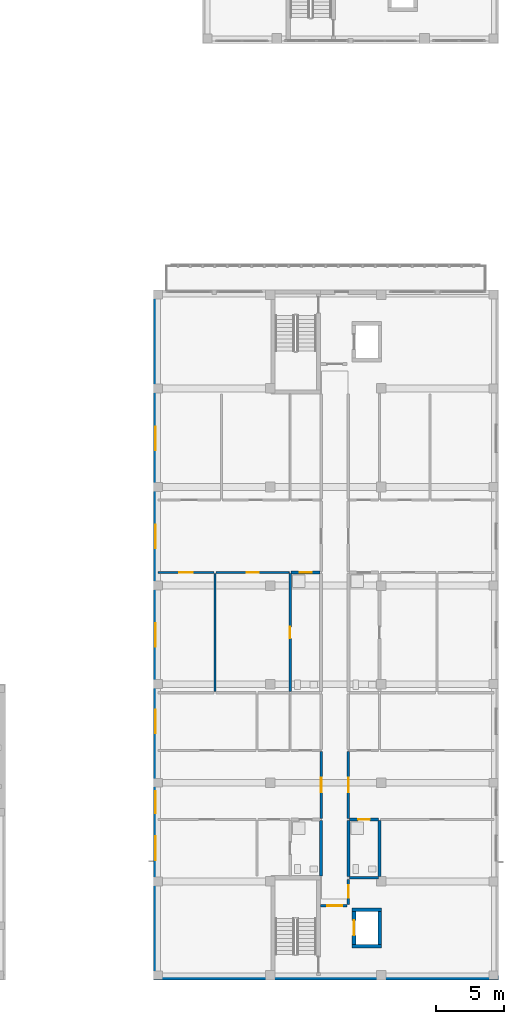
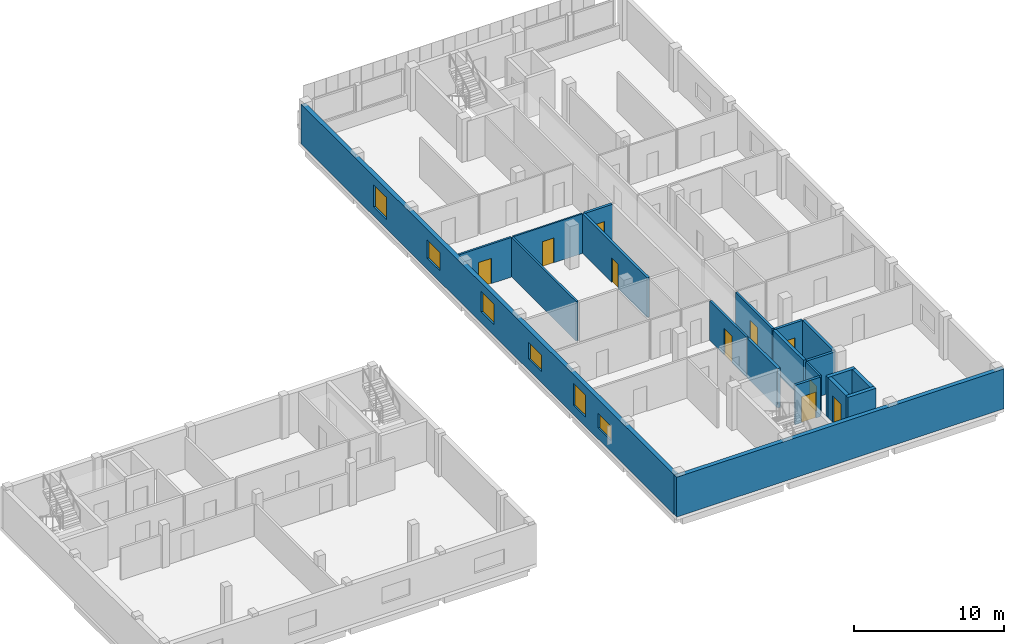
# One storey, part 46 of 73: 20 walls, 10 doors, 6 windows, 16 openings.
"""IFC4 building model written with IfcOpenShell, lengths in metres."""

from ifc_helpers import new_model, si_unit, derived_unit, direction, frame, frame_2d, origin, place, context, subcontext, project, spatial, rectangle, extrude, material, layer, layer_set, type_object, element, fill, save


model = new_model("IFC4")

# Units and contexts
model_context = context("Model", 3, precision=1e-05, world=origin(), true_north=direction((0.0, 1.0)))
body_context = subcontext(model_context, "Body", "Model", "MODEL_VIEW")
ifc_project = project(units=[si_unit("LENGTHUNIT", "METRE"), si_unit("AREAUNIT", "SQUARE_METRE"), si_unit("VOLUMEUNIT", "CUBIC_METRE"), si_unit("PLANEANGLEUNIT", "RADIAN"), si_unit("MASSUNIT", "GRAM", prefix="KILO"), derived_unit("THERMALTRANSMITTANCEUNIT", [(si_unit("MASSUNIT", "GRAM", prefix="KILO"), 1), (si_unit("TIMEUNIT", "SECOND"), -3), (si_unit("THERMODYNAMICTEMPERATUREUNIT", "KELVIN"), -1)])], contexts=[model_context])

# Site, building, storey
site_placement = place(None, origin())
site = spatial("IfcSite", under=ifc_project, at=site_placement, CompositionType="ELEMENT")
building_placement = place(site_placement, origin())
building = spatial("IfcBuilding", under=site, at=building_placement, Name="Ochrekiln Boulevard Commons", CompositionType="ELEMENT")
storey_placement = place(building_placement, frame((0.0, 0.0, 8.574951171875)))
storey = spatial("IfcBuildingStorey", under=building, at=storey_placement, Name="L02", CompositionType="ELEMENT", Elevation=8.574951171875)

# Wall
ifc_material_1 = material(Name="Desert ochre clinker brick masonry ASTM C216 Grade SW", Category="masonry")
ifc_layer_1 = layer(ifc_material_1, 0.330078125)
ifc_layer_set_1 = layer_set([ifc_layer_1], Name="Desert ochre clinker brick masonry ASTM C216 Grade SW")
wall_type_1 = type_object("IfcWallType", Name="WL-EXT-OCHRE-330", PredefinedType="SOLIDWALL", material=ifc_layer_set_1)
wall_1_placement = place(storey_placement, frame((147.60009765625, 0.1650390625, 0.0), z_axis=(0.0, 0.0, 1.0), x_axis=(1.0, 0.0, 0.0)))
element("IfcWall", 1, at=wall_1_placement, inside=storey, type_object=wall_type_1, Name="Block C L02 S Exterior Wall", PredefinedType="SOLIDWALL", context=body_context, shape_type="SweptSolid", body=[
    extrude(rectangle(XDim=25.199951171875, YDim=0.330078125, at=frame_2d((12.60009765625, 0.0))), origin(), (0.0, 0.0, 1.0), 3.239990234375),
])

# Wall, openings, windows
wall_2_placement = place(storey_placement, frame((147.764892578125, 0.330078125, 0.0), z_axis=(0.0, 0.0, 1.0), x_axis=(0.0, 1.0, 0.0)))
wall_2 = element("IfcWall", 2, at=wall_2_placement, inside=storey, type_object=wall_type_1, Name="Block C L02 W Exterior Wall", PredefinedType="SOLIDWALL", context=body_context, shape_type="SweptSolid", body=[
    extrude(rectangle(XDim=49.739990234375, YDim=0.330078125, at=frame_2d((24.8701171875, 0.0))), origin(), (0.0, 0.0, 1.0), 3.239990234375),
])
opening_1_placement = place(wall_2_placement, frame((11.833984375, 0.0, 0.7548828125)))
opening_1 = element("IfcOpeningElement", 3, at=opening_1_placement, cuts=wall_2, Name="Opening W-35", PredefinedType="OPENING", context=body_context, shape_type="SweptSolid", body=[
    extrude(rectangle(XDim=1.60009765625, YDim=1.800048828125, at=frame_2d((0.800048828125, 0.89990234375))), frame((0.0, 0.175048828125, 0.0), z_axis=(0.0, -1.0, 0.0), x_axis=(1.0, 0.0, 0.0)), (0.0, 0.0, 1.0), 0.35009765625),
])
opening_2_placement = place(wall_2_placement, frame((8.428955078125, 0.0, 0.89990234375)))
opening_2 = element("IfcOpeningElement", 4, at=opening_2_placement, cuts=wall_2, Name="Opening W-36", PredefinedType="OPENING", context=body_context, shape_type="SweptSolid", body=[
    extrude(rectangle(XDim=1.719970703125, YDim=1.199951171875, at=frame_2d((0.85986328125, 0.60009765625))), frame((0.0, 0.175048828125, 0.0), z_axis=(0.0, -1.0, 0.0), x_axis=(1.0, 0.0, 0.0)), (0.0, 0.0, 1.0), 0.35009765625),
])
opening_3_placement = place(wall_2_placement, frame((17.677001953125, 0.0, 0.89990234375)))
opening_3 = element("IfcOpeningElement", 5, at=opening_3_placement, cuts=wall_2, Name="Opening W-37", PredefinedType="OPENING", context=body_context, shape_type="SweptSolid", body=[
    extrude(rectangle(XDim=1.719970703125, YDim=1.35009765625, at=frame_2d((0.85986328125, 0.675048828125))), frame((0.0, 0.175048828125, 0.0), z_axis=(0.0, -1.0, 0.0), x_axis=(1.0, 0.0, 0.0)), (0.0, 0.0, 1.0), 0.35009765625),
])
opening_4_placement = place(wall_2_placement, frame((31.2099609375, 0.0, 0.89990234375)))
opening_4 = element("IfcOpeningElement", 6, at=opening_4_placement, cuts=wall_2, Name="Opening W-38", PredefinedType="OPENING", context=body_context, shape_type="SweptSolid", body=[
    extrude(rectangle(XDim=1.719970703125, YDim=1.5, at=frame_2d((0.85986328125, 0.75))), frame((0.0, 0.175048828125, 0.0), z_axis=(0.0, -1.0, 0.0), x_axis=(1.0, 0.0, 0.0)), (0.0, 0.0, 1.0), 0.35009765625),
])
opening_5_placement = place(wall_2_placement, frame((24.010009765625, 0.0, 0.89990234375)))
opening_5 = element("IfcOpeningElement", 7, at=opening_5_placement, cuts=wall_2, Name="Opening W-39", PredefinedType="OPENING", context=body_context, shape_type="SweptSolid", body=[
    extrude(rectangle(XDim=1.719970703125, YDim=1.64990234375, at=frame_2d((0.85986328125, 0.824951171875))), frame((0.0, 0.175048828125, 0.0), z_axis=(0.0, -1.0, 0.0), x_axis=(1.0, 0.0, 0.0)), (0.0, 0.0, 1.0), 0.35009765625),
])
opening_6_placement = place(wall_2_placement, frame((38.344970703125, 0.0, 0.7548828125)))
opening_6 = element("IfcOpeningElement", 8, at=opening_6_placement, cuts=wall_2, Name="Opening W-40", PredefinedType="OPENING", context=body_context, shape_type="SweptSolid", body=[
    extrude(rectangle(XDim=1.719970703125, YDim=1.800048828125, at=frame_2d((0.85986328125, 0.89990234375))), frame((0.0, 0.175048828125, 0.0), z_axis=(0.0, -1.0, 0.0), x_axis=(1.0, 0.0, 0.0)), (0.0, 0.0, 1.0), 0.35009765625),
])
ifc_material_2 = material(Name="Thermally broken aluminium-clad oak frame", Category="aluminium")
window_type_1 = type_object("IfcWindowType", Name="WIN-EXT-35", PartitioningType="DOUBLE_PANEL_VERTICAL", PredefinedType="WINDOW", material=ifc_material_2)
window_1_placement = place(opening_1_placement, origin())
window_1 = element("IfcWindow", 9, at=window_1_placement, inside=storey, type_object=window_type_1, Name="Block C L02 Punched Masonry Window W-35", OverallHeight=1.800048828125, OverallWidth=1.60009765625, PartitioningType="DOUBLE_PANEL_VERTICAL", PredefinedType="WINDOW", context=body_context, shape_type="SweptSolid", body=[
    extrude(rectangle(XDim=1.60009765625, YDim=1.800048828125, at=frame_2d((0.800048828125, 0.89990234375))), frame((0.0, 0.030029296875, 0.0), z_axis=(0.0, -1.0, 0.0), x_axis=(1.0, 0.0, 0.0)), (0.0, 0.0, 1.0), 0.06005859375),
])
fill(opening_1, window_1)
window_type_2 = type_object("IfcWindowType", Name="WIN-EXT-36", PartitioningType="DOUBLE_PANEL_VERTICAL", PredefinedType="WINDOW", material=ifc_material_2)
window_2_placement = place(opening_2_placement, origin())
window_2 = element("IfcWindow", 10, at=window_2_placement, inside=storey, type_object=window_type_2, Name="Block C L02 Punched Masonry Window W-36", OverallHeight=1.199951171875, OverallWidth=1.719970703125, PartitioningType="DOUBLE_PANEL_VERTICAL", PredefinedType="WINDOW", context=body_context, shape_type="SweptSolid", body=[
    extrude(rectangle(XDim=1.719970703125, YDim=1.199951171875, at=frame_2d((0.85986328125, 0.60009765625))), frame((0.0, 0.030029296875, 0.0), z_axis=(0.0, -1.0, 0.0), x_axis=(1.0, 0.0, 0.0)), (0.0, 0.0, 1.0), 0.06005859375),
])
fill(opening_2, window_2)
window_type_3 = type_object("IfcWindowType", Name="WIN-EXT-37", PartitioningType="DOUBLE_PANEL_VERTICAL", PredefinedType="WINDOW", material=ifc_material_2)
window_3_placement = place(opening_3_placement, origin())
window_3 = element("IfcWindow", 11, at=window_3_placement, inside=storey, type_object=window_type_3, Name="Block C L02 Punched Masonry Window W-37", OverallHeight=1.35009765625, OverallWidth=1.719970703125, PartitioningType="DOUBLE_PANEL_VERTICAL", PredefinedType="WINDOW", context=body_context, shape_type="SweptSolid", body=[
    extrude(rectangle(XDim=1.719970703125, YDim=1.35009765625, at=frame_2d((0.85986328125, 0.675048828125))), frame((0.0, 0.030029296875, 0.0), z_axis=(0.0, -1.0, 0.0), x_axis=(1.0, 0.0, 0.0)), (0.0, 0.0, 1.0), 0.06005859375),
])
fill(opening_3, window_3)
window_type_4 = type_object("IfcWindowType", Name="WIN-EXT-38", PartitioningType="DOUBLE_PANEL_VERTICAL", PredefinedType="WINDOW", material=ifc_material_2)
window_4_placement = place(opening_4_placement, origin())
window_4 = element("IfcWindow", 12, at=window_4_placement, inside=storey, type_object=window_type_4, Name="Block C L02 Punched Masonry Window W-38", OverallHeight=1.5, OverallWidth=1.719970703125, PartitioningType="DOUBLE_PANEL_VERTICAL", PredefinedType="WINDOW", context=body_context, shape_type="SweptSolid", body=[
    extrude(rectangle(XDim=1.719970703125, YDim=1.5, at=frame_2d((0.85986328125, 0.75))), frame((0.0, 0.030029296875, 0.0), z_axis=(0.0, -1.0, 0.0), x_axis=(1.0, 0.0, 0.0)), (0.0, 0.0, 1.0), 0.06005859375),
])
fill(opening_4, window_4)
window_type_5 = type_object("IfcWindowType", Name="WIN-EXT-39", PartitioningType="DOUBLE_PANEL_VERTICAL", PredefinedType="WINDOW", material=ifc_material_2)
window_5_placement = place(opening_5_placement, origin())
window_5 = element("IfcWindow", 13, at=window_5_placement, inside=storey, type_object=window_type_5, Name="Block C L02 Punched Masonry Window W-39", OverallHeight=1.64990234375, OverallWidth=1.719970703125, PartitioningType="DOUBLE_PANEL_VERTICAL", PredefinedType="WINDOW", context=body_context, shape_type="SweptSolid", body=[
    extrude(rectangle(XDim=1.719970703125, YDim=1.64990234375, at=frame_2d((0.85986328125, 0.824951171875))), frame((0.0, 0.030029296875, 0.0), z_axis=(0.0, -1.0, 0.0), x_axis=(1.0, 0.0, 0.0)), (0.0, 0.0, 1.0), 0.06005859375),
])
fill(opening_5, window_5)
window_type_6 = type_object("IfcWindowType", Name="WIN-EXT-40", PartitioningType="DOUBLE_PANEL_VERTICAL", PredefinedType="WINDOW", material=ifc_material_2)
window_6_placement = place(opening_6_placement, origin())
window_6 = element("IfcWindow", 14, at=window_6_placement, inside=storey, type_object=window_type_6, Name="Block C L02 Punched Masonry Window W-40", OverallHeight=1.800048828125, OverallWidth=1.719970703125, PartitioningType="DOUBLE_PANEL_VERTICAL", PredefinedType="WINDOW", context=body_context, shape_type="SweptSolid", body=[
    extrude(rectangle(XDim=1.719970703125, YDim=1.800048828125, at=frame_2d((0.85986328125, 0.89990234375))), frame((0.0, 0.030029296875, 0.0), z_axis=(0.0, -1.0, 0.0), x_axis=(1.0, 0.0, 0.0)), (0.0, 0.0, 1.0), 0.06005859375),
])
fill(opening_6, window_6)

# Wall
ifc_material_3 = material(Name="Moisture-resistant cementitious tile backer wall")
ifc_layer_2 = layer(ifc_material_3, 0.199951171875)
ifc_layer_set_2 = layer_set([ifc_layer_2], Name="Moisture-resistant cementitious tile backer wall")
wall_type_2 = type_object("IfcWallType", Name="WL-PLM-200", PredefinedType="PLUMBINGWALL", material=ifc_layer_set_2)
wall_3_placement = place(storey_placement, frame((161.923095703125, 7.47509765625, 0.0), z_axis=(0.0, 0.0, 1.0), x_axis=(1.0, 0.0, 0.0)))
element("IfcWall", 15, at=wall_3_placement, inside=storey, type_object=wall_type_2, Name="L02 Interior Wall W-PW200", PredefinedType="PLUMBINGWALL", context=body_context, shape_type="SweptSolid", body=[
    extrude(rectangle(XDim=2.10693359375, YDim=0.199951171875, at=frame_2d((1.053466796875, 0.0))), origin(), (0.0, 0.0, 1.0), 3.219970703125),
])

# Wall, opening, door
wall_4_placement = place(storey_placement, frame((157.669921875, 29.75, 0.0), z_axis=(0.0, 0.0, 1.0), x_axis=(1.0, 0.0, 0.0)))
wall_4 = element("IfcWall", 16, at=wall_4_placement, inside=storey, type_object=wall_type_2, Name="L02 Interior Wall W-PW200", PredefinedType="PLUMBINGWALL", context=body_context, shape_type="SweptSolid", body=[
    extrude(rectangle(XDim=2.108154296875, YDim=0.199951171875, at=frame_2d((1.05419921875, 0.0))), origin(), (0.0, 0.0, 1.0), 3.219970703125),
])
opening_7_placement = place(wall_4_placement, frame((0.60498046875, 0.0, 0.0)))
opening_7 = element("IfcOpeningElement", 17, at=opening_7_placement, cuts=wall_4, Name="Opening D-L02-379", PredefinedType="OPENING", context=body_context, shape_type="SweptSolid", body=[
    extrude(rectangle(XDim=0.889892578125, YDim=2.030029296875, at=frame_2d((0.44482421875, 1.01513671875))), frame((0.0, 0.10986328125, 0.0), z_axis=(0.0, -1.0, 0.0), x_axis=(1.0, 0.0, 0.0)), (0.0, 0.0, 1.0), 0.219970703125),
])
ifc_material_4 = material(Name="Solid core architectural oak door leaf")
door_type_1 = type_object("IfcDoorType", Name="DR-INT-BTH-089", OperationType="NOTDEFINED", PredefinedType="DOOR", material=ifc_material_4)
door_1_placement = place(opening_7_placement, frame((0.889892578125, 0.0, 0.0), z_axis=(0.0, 0.0, 1.0), x_axis=(-1.0, 0.0, 0.0)))
door_1 = element("IfcDoor", 18, at=door_1_placement, inside=storey, type_object=door_type_1, Name="L02 Interior Door to Apartment Bathroom", OperationType="SINGLE_SWING_LEFT", OverallHeight=2.030029296875, OverallWidth=0.889892578125, PredefinedType="DOOR", context=body_context, shape_type="SweptSolid", body=[
    extrude(rectangle(XDim=0.889892578125, YDim=2.030029296875, at=frame_2d((0.44482421875, 1.01513671875))), frame((0.0, 0.02490234375, 0.0), z_axis=(0.0, -1.0, 0.0), x_axis=(1.0, 0.0, 0.0)), (0.0, 0.0, 1.0), 0.050048828125),
])
fill(opening_7, door_1)

wall_5_placement = place(storey_placement, frame((157.590087890625, 21.06591796875, 0.0), z_axis=(0.0, 0.0, 1.0), x_axis=(0.0, 1.0, 0.0)))
wall_5 = element("IfcWall", 19, at=wall_5_placement, inside=storey, type_object=wall_type_2, Name="L02 Interior Wall W-PW200", PredefinedType="PLUMBINGWALL", context=body_context, shape_type="SweptSolid", body=[
    extrude(rectangle(XDim=8.6240234375, YDim=0.199951171875, at=frame_2d((4.31201171875, 0.0))), origin(), (0.0, 0.0, 1.0), 3.219970703125),
])
opening_8_placement = place(wall_5_placement, frame((3.876953125, 0.0, 0.0)))
opening_8 = element("IfcOpeningElement", 20, at=opening_8_placement, cuts=wall_5, Name="Opening D-L02-385", PredefinedType="OPENING", context=body_context, shape_type="SweptSolid", body=[
    extrude(rectangle(XDim=0.85009765625, YDim=2.010009765625, at=frame_2d((0.425048828125, 1.0048828125))), frame((0.0, 0.10986328125, 0.0), z_axis=(0.0, -1.0, 0.0), x_axis=(1.0, 0.0, 0.0)), (0.0, 0.0, 1.0), 0.219970703125),
])
door_type_2 = type_object("IfcDoorType", Name="DR-INT-KIT-085", OperationType="NOTDEFINED", PredefinedType="DOOR", material=ifc_material_4)
door_2_placement = place(opening_8_placement, frame((0.85009765625, 0.0, 0.0), z_axis=(0.0, 0.0, 1.0), x_axis=(-1.0, 0.0, 0.0)))
door_2 = element("IfcDoor", 21, at=door_2_placement, inside=storey, type_object=door_type_2, Name="L02 Interior Door to Apartment Bathroom", OperationType="SINGLE_SWING_LEFT", OverallHeight=2.010009765625, OverallWidth=0.85009765625, PredefinedType="DOOR", context=body_context, shape_type="SweptSolid", body=[
    extrude(rectangle(XDim=0.85009765625, YDim=2.010009765625, at=frame_2d((0.425048828125, 1.0048828125))), frame((0.0, 0.02490234375, 0.0), z_axis=(0.0, -1.0, 0.0), x_axis=(1.0, 0.0, 0.0)), (0.0, 0.0, 1.0), 0.050048828125),
])
fill(opening_8, door_2)

wall_6_placement = place(storey_placement, frame((161.923095703125, 11.718994140625, 0.0), z_axis=(0.0, 0.0, 1.0), x_axis=(1.0, 0.0, 0.0)))
wall_6 = element("IfcWall", 22, at=wall_6_placement, inside=storey, type_object=wall_type_2, Name="L02 Interior Wall W-PW200", PredefinedType="PLUMBINGWALL", context=body_context, shape_type="SweptSolid", body=[
    extrude(rectangle(XDim=2.10693359375, YDim=0.199951171875, at=frame_2d((1.053466796875, 0.0))), origin(), (0.0, 0.0, 1.0), 3.219970703125),
])
opening_9_placement = place(wall_6_placement, frame((0.626953125, 0.0, 0.0)))
opening_9 = element("IfcOpeningElement", 23, at=opening_9_placement, cuts=wall_6, Name="Opening D-L02-386", PredefinedType="OPENING", context=body_context, shape_type="SweptSolid", body=[
    extrude(rectangle(XDim=0.860107421875, YDim=2.0, at=frame_2d((0.43017578125, 1.0))), frame((0.0, 0.10986328125, 0.0), z_axis=(0.0, -1.0, 0.0), x_axis=(1.0, 0.0, 0.0)), (0.0, 0.0, 1.0), 0.219970703125),
])
door_type_3 = type_object("IfcDoorType", Name="DR-INT-BTH-086", OperationType="NOTDEFINED", PredefinedType="DOOR", material=ifc_material_4)
door_3_placement = place(opening_9_placement, frame((0.860107421875, 0.0, 0.0), z_axis=(0.0, 0.0, 1.0), x_axis=(-1.0, 0.0, 0.0)))
door_3 = element("IfcDoor", 24, at=door_3_placement, inside=storey, type_object=door_type_3, Name="L02 Interior Door to Apartment Bathroom", OperationType="SINGLE_SWING_RIGHT", OverallHeight=2.0, OverallWidth=0.860107421875, PredefinedType="DOOR", context=body_context, shape_type="SweptSolid", body=[
    extrude(rectangle(XDim=0.860107421875, YDim=2.0, at=frame_2d((0.43017578125, 1.0))), frame((0.0, 0.02490234375, 0.0), z_axis=(0.0, -1.0, 0.0), x_axis=(1.0, 0.0, 0.0)), (0.0, 0.0, 1.0), 0.050048828125),
])
fill(opening_9, door_3)

# Walls
wall_7_placement = place(storey_placement, frame((164.110107421875, 7.574951171875, 0.0), z_axis=(0.0, 0.0, 1.0), x_axis=(0.0, 1.0, 0.0)))
element("IfcWall", 25, at=wall_7_placement, inside=storey, type_object=wall_type_2, Name="L02 Interior Wall W-PW200", PredefinedType="PLUMBINGWALL", context=body_context, shape_type="SweptSolid", body=[
    extrude(rectangle(XDim=4.069091796875, YDim=0.199951171875, at=frame_2d((2.03466796875, 0.0))), origin(), (0.0, 0.0, 1.0), 3.219970703125),
])
ifc_layer_3 = layer(ifc_material_3, 0.219970703125)
ifc_layer_set_3 = layer_set([ifc_layer_3], Name="Moisture-resistant cementitious tile backer wall")
wall_type_3 = type_object("IfcWallType", Name="WL-PLM-220", PredefinedType="PLUMBINGWALL", material=ifc_layer_set_3)
wall_8_placement = place(storey_placement, frame((159.860107421875, 7.60009765625, 0.0), z_axis=(0.0, 0.0, 1.0), x_axis=(0.0, 1.0, 0.0)))
element("IfcWall", 26, at=wall_8_placement, inside=storey, type_object=wall_type_3, Name="L02 Interior Wall W-PW220", PredefinedType="PLUMBINGWALL", context=body_context, shape_type="SweptSolid", body=[
    extrude(rectangle(XDim=4.038818359375, YDim=0.219970703125, at=frame_2d((2.01953125, 0.0))), origin(), (0.0, 0.0, 1.0), 3.219970703125),
])
wall_9_placement = place(storey_placement, frame((161.840087890625, 7.574951171875, 0.0), z_axis=(0.0, 0.0, 1.0), x_axis=(0.0, 1.0, 0.0)))
element("IfcWall", 27, at=wall_9_placement, inside=storey, type_object=wall_type_3, Name="L02 Interior Wall W-PW220", PredefinedType="PLUMBINGWALL", context=body_context, shape_type="SweptSolid", body=[
    extrude(rectangle(XDim=4.06396484375, YDim=0.219970703125, at=frame_2d((2.031982421875, 0.0))), origin(), (0.0, 0.0, 1.0), 3.219970703125),
])

# Wall, opening, door
ifc_material_5 = material(Name="Fire-rated Type X gypsum board on steel studs", Category="steel")
ifc_layer_4 = layer(ifc_material_5, 0.1650390625)
ifc_layer_set_4 = layer_set([ifc_layer_4], Name="Fire-rated Type X gypsum board on steel studs")
wall_type_4 = type_object("IfcWallType", Name="WL-PT-CORR-165", PredefinedType="PARTITIONING", material=ifc_layer_set_4)
wall_10_placement = place(storey_placement, frame((161.840087890625, 5.514892578125, 0.0), z_axis=(0.0, 0.0, 1.0), x_axis=(0.0, 1.0, 0.0)))
wall_10 = element("IfcWall", 28, at=wall_10_placement, inside=storey, type_object=wall_type_4, Name="L02 Interior Wall W-PC165", PredefinedType="PARTITIONING", context=body_context, shape_type="SweptSolid", body=[
    extrude(rectangle(XDim=1.835205078125, YDim=0.1650390625, at=frame_2d((0.91748046875, 0.0))), origin(), (0.0, 0.0, 1.0), 3.219970703125),
])
opening_10_placement = place(wall_10_placement, frame((0.47509765625, 0.0, 0.0)))
opening_10 = element("IfcOpeningElement", 29, at=opening_10_placement, cuts=wall_10, Name="Opening D-L02-367", PredefinedType="OPENING", context=body_context, shape_type="SweptSolid", body=[
    extrude(rectangle(XDim=0.919921875, YDim=2.0400390625, at=frame_2d((0.4599609375, 1.02001953125))), frame((0.0, 0.092529296875, 0.0), z_axis=(0.0, -1.0, 0.0), x_axis=(1.0, 0.0, 0.0)), (0.0, 0.0, 1.0), 0.18505859375),
])
ifc_material_6 = material(Name="Hollow metal fire-rated steel door assembly", Category="steel")
door_type_4 = type_object("IfcDoorType", Name="DR-SRV-90", OperationType="NOTDEFINED", PredefinedType="DOOR", material=ifc_material_6)
door_4_placement = place(opening_10_placement, frame((0.919921875, 0.0, 0.0), z_axis=(0.0, 0.0, 1.0), x_axis=(-1.0, 0.0, 0.0)))
door_4 = element("IfcDoor", 30, at=door_4_placement, inside=storey, type_object=door_type_4, Name="L02 Interior Door to Hydronic and Electrical Riser Room", OperationType="SINGLE_SWING_LEFT", OverallHeight=2.0400390625, OverallWidth=0.919921875, PredefinedType="DOOR", context=body_context, shape_type="SweptSolid", body=[
    extrude(rectangle(XDim=0.919921875, YDim=2.0400390625, at=frame_2d((0.4599609375, 1.02001953125))), frame((0.0, 0.02490234375, 0.0), z_axis=(0.0, -1.0, 0.0), x_axis=(1.0, 0.0, 0.0)), (0.0, 0.0, 1.0), 0.050048828125),
])
fill(opening_10, door_4)

wall_11_placement = place(storey_placement, frame((159.860107421875, 11.799072265625, 0.0), z_axis=(0.0, 0.0, 1.0), x_axis=(0.0, 1.0, 0.0)))
wall_11 = element("IfcWall", 31, at=wall_11_placement, inside=storey, type_object=wall_type_4, Name="L02 Interior Wall W-PC165", PredefinedType="PARTITIONING", context=body_context, shape_type="SweptSolid", body=[
    extrude(rectangle(XDim=4.887939453125, YDim=0.1650390625, at=frame_2d((2.44384765625, 0.0))), origin(), (0.0, 0.0, 1.0), 3.219970703125),
])
opening_11_placement = place(wall_11_placement, frame((1.9189453125, 0.0, 0.0)))
opening_11 = element("IfcOpeningElement", 32, at=opening_11_placement, cuts=wall_11, Name="Opening D-L02-368", PredefinedType="OPENING", context=body_context, shape_type="SweptSolid", body=[
    extrude(rectangle(XDim=1.050048828125, YDim=2.1298828125, at=frame_2d((0.52490234375, 1.06494140625))), frame((0.0, 0.092529296875, 0.0), z_axis=(0.0, -1.0, 0.0), x_axis=(1.0, 0.0, 0.0)), (0.0, 0.0, 1.0), 0.18505859375),
])
door_type_5 = type_object("IfcDoorType", Name="DR-INT-APT-105", OperationType="NOTDEFINED", PredefinedType="DOOR", material=ifc_material_4)
door_5_placement = place(opening_11_placement, origin())
door_5 = element("IfcDoor", 33, at=door_5_placement, inside=storey, type_object=door_type_5, Name="L02 Interior Door to Two-Bedroom Apartment Living Room", OperationType="SINGLE_SWING_RIGHT", OverallHeight=2.1298828125, OverallWidth=1.050048828125, PredefinedType="DOOR", context=body_context, shape_type="SweptSolid", body=[
    extrude(rectangle(XDim=1.050048828125, YDim=2.1298828125, at=frame_2d((0.52490234375, 1.06494140625))), frame((0.0, 0.02490234375, 0.0), z_axis=(0.0, -1.0, 0.0), x_axis=(1.0, 0.0, 0.0)), (0.0, 0.0, 1.0), 0.050048828125),
])
fill(opening_11, door_5)

wall_12_placement = place(storey_placement, frame((161.840087890625, 11.799072265625, 0.0), z_axis=(0.0, 0.0, 1.0), x_axis=(0.0, 1.0, 0.0)))
wall_12 = element("IfcWall", 34, at=wall_12_placement, inside=storey, type_object=wall_type_4, Name="L02 Interior Wall W-PC165", PredefinedType="PARTITIONING", context=body_context, shape_type="SweptSolid", body=[
    extrude(rectangle(XDim=4.887939453125, YDim=0.1650390625, at=frame_2d((2.44384765625, 0.0))), origin(), (0.0, 0.0, 1.0), 3.219970703125),
])
opening_12_placement = place(wall_12_placement, frame((1.9189453125, 0.0, 0.0)))
opening_12 = element("IfcOpeningElement", 35, at=opening_12_placement, cuts=wall_12, Name="Opening D-L02-370", PredefinedType="OPENING", context=body_context, shape_type="SweptSolid", body=[
    extrude(rectangle(XDim=1.050048828125, YDim=2.1298828125, at=frame_2d((0.52490234375, 1.06494140625))), frame((0.0, 0.092529296875, 0.0), z_axis=(0.0, -1.0, 0.0), x_axis=(1.0, 0.0, 0.0)), (0.0, 0.0, 1.0), 0.18505859375),
])
door_6_placement = place(opening_12_placement, frame((1.050048828125, 0.0, 0.0), z_axis=(0.0, 0.0, 1.0), x_axis=(-1.0, 0.0, 0.0)))
door_6 = element("IfcDoor", 36, at=door_6_placement, inside=storey, type_object=door_type_5, Name="L02 Interior Door to Two-Bedroom Apartment Living Room", OperationType="SINGLE_SWING_RIGHT", OverallHeight=2.1298828125, OverallWidth=1.050048828125, PredefinedType="DOOR", context=body_context, shape_type="SweptSolid", body=[
    extrude(rectangle(XDim=1.050048828125, YDim=2.1298828125, at=frame_2d((0.52490234375, 1.06494140625))), frame((0.0, 0.02490234375, 0.0), z_axis=(0.0, -1.0, 0.0), x_axis=(1.0, 0.0, 0.0)), (0.0, 0.0, 1.0), 0.050048828125),
])
fill(opening_12, door_6)

ifc_layer_5 = layer(ifc_material_5, 0.18994140625)
ifc_layer_set_5 = layer_set([ifc_layer_5], Name="Fire-rated Type X gypsum board on steel studs")
wall_type_5 = type_object("IfcWallType", Name="WL-PT-LBY-190", PredefinedType="PARTITIONING", material=ifc_layer_set_5)
wall_13_placement = place(storey_placement, frame((159.800048828125, 5.419921875, 0.0), z_axis=(0.0, 0.0, 1.0), x_axis=(1.0, 0.0, 0.0)))
wall_13 = element("IfcWall", 37, at=wall_13_placement, inside=storey, type_object=wall_type_5, Name="L02 Interior Wall W-PL190", PredefinedType="PARTITIONING", context=body_context, shape_type="SweptSolid", body=[
    extrude(rectangle(XDim=1.949951171875, YDim=0.18994140625, at=frame_2d((0.97509765625, 0.0))), origin(), (0.0, 0.0, 1.0), 3.219970703125),
])
opening_13_placement = place(wall_13_placement, frame((0.5, 0.0, 0.0)))
opening_13 = element("IfcOpeningElement", 38, at=opening_13_placement, cuts=wall_13, Name="Opening D-L02-365", PredefinedType="OPENING", context=body_context, shape_type="SweptSolid", body=[
    extrude(rectangle(XDim=1.10009765625, YDim=2.1201171875, at=frame_2d((0.550048828125, 1.06005859375))), frame((0.0, 0.10498046875, 0.0), z_axis=(0.0, -1.0, 0.0), x_axis=(1.0, 0.0, 0.0)), (0.0, 0.0, 1.0), 0.2099609375),
])
door_type_6 = type_object("IfcDoorType", Name="DR-LOBBY-60", OperationType="NOTDEFINED", PredefinedType="DOOR", material=ifc_material_6)
door_7_placement = place(opening_13_placement, frame((1.10009765625, 0.0, 0.0), z_axis=(0.0, 0.0, 1.0), x_axis=(-1.0, 0.0, 0.0)))
door_7 = element("IfcDoor", 39, at=door_7_placement, inside=storey, type_object=door_type_6, Name="L02 Interior Door to Passenger Elevator Lobby", OperationType="SINGLE_SWING_LEFT", OverallHeight=2.1201171875, OverallWidth=1.10009765625, PredefinedType="DOOR", context=body_context, shape_type="SweptSolid", body=[
    extrude(rectangle(XDim=1.10009765625, YDim=2.1201171875, at=frame_2d((0.550048828125, 1.06005859375))), frame((0.0, 0.02490234375, 0.0), z_axis=(0.0, -1.0, 0.0), x_axis=(1.0, 0.0, 0.0)), (0.0, 0.0, 1.0), 0.050048828125),
])
fill(opening_13, door_7)

ifc_layer_6 = layer(ifc_material_5, 0.1201171875)
ifc_layer_set_6 = layer_set([ifc_layer_6], Name="Fire-rated Type X gypsum board on steel studs")
wall_type_6 = type_object("IfcWallType", Name="WL-PT-LGT-120", PredefinedType="PARTITIONING", material=ifc_layer_set_6)
wall_14_placement = place(storey_placement, frame((152.177978515625, 29.75, 0.0), z_axis=(0.0, 0.0, 1.0), x_axis=(1.0, 0.0, 0.0)))
wall_14 = element("IfcWall", 40, at=wall_14_placement, inside=storey, type_object=wall_type_6, Name="L02 Interior Wall W-PL120", PredefinedType="PARTITIONING", context=body_context, shape_type="SweptSolid", body=[
    extrude(rectangle(XDim=5.33203125, YDim=0.1201171875, at=frame_2d((2.666015625, 0.0))), origin(), (0.0, 0.0, 1.0), 3.219970703125),
])
opening_14_placement = place(wall_14_placement, frame((2.22607421875, 0.0, 0.0)))
opening_14 = element("IfcOpeningElement", 41, at=opening_14_placement, cuts=wall_14, Name="Opening D-L02-382", PredefinedType="OPENING", context=body_context, shape_type="SweptSolid", body=[
    extrude(rectangle(XDim=0.8798828125, YDim=2.02001953125, at=frame_2d((0.43994140625, 1.010009765625))), frame((0.0, 0.070068359375, 0.0), z_axis=(0.0, -1.0, 0.0), x_axis=(1.0, 0.0, 0.0)), (0.0, 0.0, 1.0), 0.14013671875),
])
door_type_7 = type_object("IfcDoorType", Name="DR-INT-KIT-088", OperationType="NOTDEFINED", PredefinedType="DOOR", material=ifc_material_4)
door_8_placement = place(opening_14_placement, frame((0.8798828125, 0.0, 0.0), z_axis=(0.0, 0.0, 1.0), x_axis=(-1.0, 0.0, 0.0)))
door_8 = element("IfcDoor", 42, at=door_8_placement, inside=storey, type_object=door_type_7, Name="L02 Interior Door to Apartment Walk-In Wardrobe", OperationType="SINGLE_SWING_RIGHT", OverallHeight=2.02001953125, OverallWidth=0.8798828125, PredefinedType="DOOR", context=body_context, shape_type="SweptSolid", body=[
    extrude(rectangle(XDim=0.8798828125, YDim=2.02001953125, at=frame_2d((0.43994140625, 1.010009765625))), frame((0.0, 0.02490234375, 0.0), z_axis=(0.0, -1.0, 0.0), x_axis=(1.0, 0.0, 0.0)), (0.0, 0.0, 1.0), 0.050048828125),
])
fill(opening_14, door_8)

ifc_layer_7 = layer(ifc_material_5, 0.14990234375)
ifc_layer_set_7 = layer_set([ifc_layer_7], Name="Fire-rated Type X gypsum board on steel studs")
wall_type_7 = type_object("IfcWallType", Name="WL-PT-STD-150", PredefinedType="PARTITIONING", material=ifc_layer_set_7)
wall_15_placement = place(storey_placement, frame((147.929931640625, 29.75, 0.0), z_axis=(0.0, 0.0, 1.0), x_axis=(1.0, 0.0, 0.0)))
wall_15 = element("IfcWall", 43, at=wall_15_placement, inside=storey, type_object=wall_type_7, Name="L02 Interior Wall W-PS150", PredefinedType="PARTITIONING", context=body_context, shape_type="SweptSolid", body=[
    extrude(rectangle(XDim=4.088134765625, YDim=0.14990234375, at=frame_2d((2.0439453125, 0.0))), origin(), (0.0, 0.0, 1.0), 3.219970703125),
])
opening_15_placement = place(wall_15_placement, frame((1.553955078125, 0.0, 0.0)))
opening_15 = element("IfcOpeningElement", 44, at=opening_15_placement, cuts=wall_15, Name="Opening D-L02-381", PredefinedType="OPENING", context=body_context, shape_type="SweptSolid", body=[
    extrude(rectangle(XDim=1.0, YDim=2.06005859375, at=frame_2d((0.5, 1.030029296875))), frame((0.0, 0.0849609375, 0.0), z_axis=(0.0, -1.0, 0.0), x_axis=(1.0, 0.0, 0.0)), (0.0, 0.0, 1.0), 0.169921875),
])
door_type_8 = type_object("IfcDoorType", Name="DR-INT-BED-100", OperationType="NOTDEFINED", PredefinedType="DOOR", material=ifc_material_4)
door_9_placement = place(opening_15_placement, frame((1.0, 0.0, 0.0), z_axis=(0.0, 0.0, 1.0), x_axis=(-1.0, 0.0, 0.0)))
door_9 = element("IfcDoor", 45, at=door_9_placement, inside=storey, type_object=door_type_8, Name="L02 Interior Door to Primary Apartment Bedroom", OperationType="SINGLE_SWING_LEFT", OverallHeight=2.06005859375, OverallWidth=1.0, PredefinedType="DOOR", context=body_context, shape_type="SweptSolid", body=[
    extrude(rectangle(XDim=1.0, YDim=2.06005859375, at=frame_2d((0.5, 1.030029296875))), frame((0.0, 0.02490234375, 0.0), z_axis=(0.0, -1.0, 0.0), x_axis=(1.0, 0.0, 0.0)), (0.0, 0.0, 1.0), 0.050048828125),
])
fill(opening_15, door_9)

# Walls
wall_16_placement = place(storey_placement, frame((152.097900390625, 21.06591796875, 0.0), z_axis=(0.0, 0.0, 1.0), x_axis=(0.0, 1.0, 0.0)))
element("IfcWall", 46, at=wall_16_placement, inside=storey, type_object=wall_type_7, Name="L02 Interior Wall W-PS150", PredefinedType="PARTITIONING", context=body_context, shape_type="SweptSolid", body=[
    extrude(rectangle(XDim=8.6240234375, YDim=0.14990234375, at=frame_2d((4.31201171875, 0.0))), origin(), (0.0, 0.0, 1.0), 3.219970703125),
])
ifc_material_7 = material(Name="Concrete C40/50", Category="concrete")
ifc_layer_8 = layer(ifc_material_7, 0.27490234375)
ifc_layer_set_8 = layer_set([ifc_layer_8], Name="Concrete C40/50")
wall_type_8 = type_object("IfcWallType", Name="WL-SH-275", PredefinedType="SHEAR", material=ifc_layer_set_8)
for number, where, z_axis, x_axis, name in (
    (47, (162.125, 2.46240234375, 0.0), (0.0, 0.0, 1.0), (1.0, 0.0, 0.0), "Elevator LP-C1 L02 Hoistway Shear Wall"),
    (48, (162.125, 5.137451171875, 0.0), (0.0, 0.0, 1.0), (1.0, 0.0, 0.0), "Elevator LP-C1 L02 Hoistway Shear Wall"),
):
    element("IfcWall", number, at=place(storey_placement, frame(where, z_axis=z_axis, x_axis=x_axis)), inside=storey, type_object=wall_type_8, Name=name, PredefinedType="SHEAR", context=body_context, shape_type="SweptSolid", body=[
        extrude(rectangle(XDim=2.14990234375, YDim=0.27490234375, at=frame_2d((1.074951171875, 0.0))), origin(), (0.0, 0.0, 1.0), 3.239990234375),
    ])

# Wall, opening, door
wall_17_placement = place(storey_placement, frame((162.262451171875, 2.60009765625, 0.0), z_axis=(0.0, 0.0, 1.0), x_axis=(0.0, 1.0, 0.0)))
wall_17 = element("IfcWall", 49, at=wall_17_placement, inside=storey, type_object=wall_type_8, Name="Elevator LP-C1 L02 Hoistway Shear Wall", PredefinedType="SHEAR", context=body_context, shape_type="SweptSolid", body=[
    extrude(rectangle(XDim=2.39990234375, YDim=0.27490234375, at=frame_2d((1.199951171875, 0.0))), origin(), (0.0, 0.0, 1.0), 3.239990234375),
])
opening_16_placement = place(wall_17_placement, frame((0.64990234375, 0.0, 0.0)))
opening_16 = element("IfcOpeningElement", 50, at=opening_16_placement, cuts=wall_17, Name="Opening LD-LP-C1-L02", PredefinedType="OPENING", context=body_context, shape_type="SweptSolid", body=[
    extrude(rectangle(XDim=1.10009765625, YDim=2.14990234375, at=frame_2d((0.550048828125, 1.074951171875))), frame((0.0, 0.1474609375, 0.0), z_axis=(0.0, -1.0, 0.0), x_axis=(1.0, 0.0, 0.0)), (0.0, 0.0, 1.0), 0.294921875),
])
ifc_material_8 = material(Name="Brushed stainless steel 316 elevator cab and doors", Category="steel")
door_type_9 = type_object("IfcDoorType", Name="DR-LIFT-LD90", OperationType="SLIDING_TO_LEFT", PredefinedType="DOOR", material=ifc_material_8)
door_10_placement = place(opening_16_placement, origin())
door_10 = element("IfcDoor", 51, at=door_10_placement, inside=storey, type_object=door_type_9, Name="Elevator LP-C1 L02 Sliding Landing Door LD-LP-C1-L02", OperationType="SLIDING_TO_LEFT", OverallHeight=2.14990234375, OverallWidth=1.10009765625, PredefinedType="DOOR", context=body_context, shape_type="SweptSolid", body=[
    extrude(rectangle(XDim=1.10009765625, YDim=2.14990234375, at=frame_2d((0.550048828125, 1.074951171875))), frame((0.0, 0.02490234375, 0.0), z_axis=(0.0, -1.0, 0.0), x_axis=(1.0, 0.0, 0.0)), (0.0, 0.0, 1.0), 0.050048828125),
])
fill(opening_16, door_10)

# Wall
wall_18_placement = place(storey_placement, frame((164.137451171875, 2.60009765625, 0.0), z_axis=(0.0, 0.0, 1.0), x_axis=(0.0, 1.0, 0.0)))
element("IfcWall", 52, at=wall_18_placement, inside=storey, type_object=wall_type_8, Name="Elevator LP-C1 L02 Hoistway Shear Wall", PredefinedType="SHEAR", context=body_context, shape_type="SweptSolid", body=[
    extrude(rectangle(XDim=2.39990234375, YDim=0.27490234375, at=frame_2d((1.199951171875, 0.0))), origin(), (0.0, 0.0, 1.0), 3.239990234375),
])

save(model, "model.ifc")
